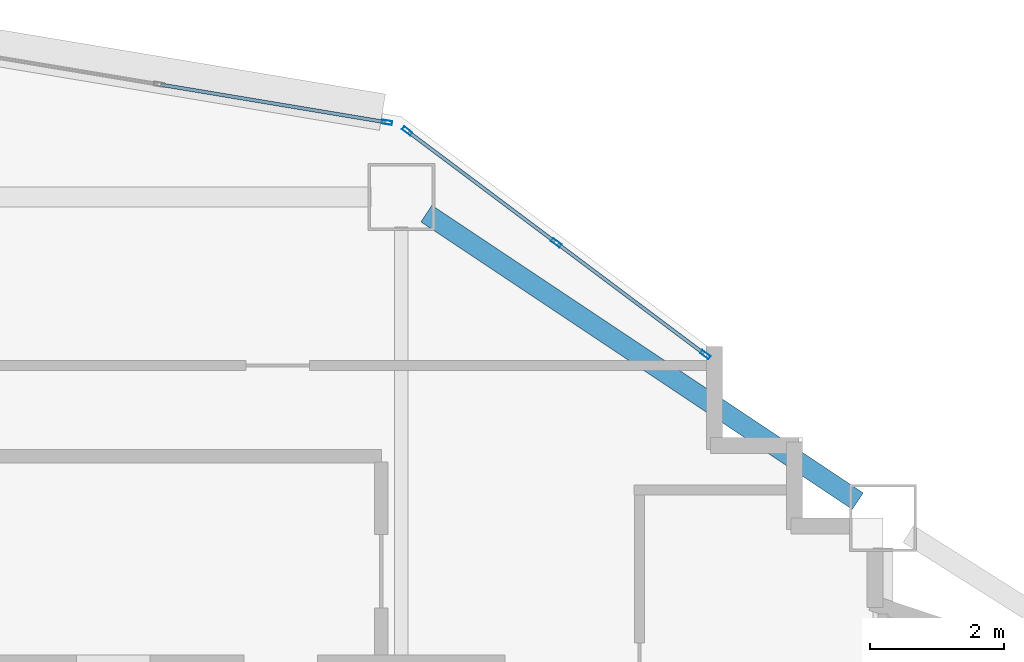
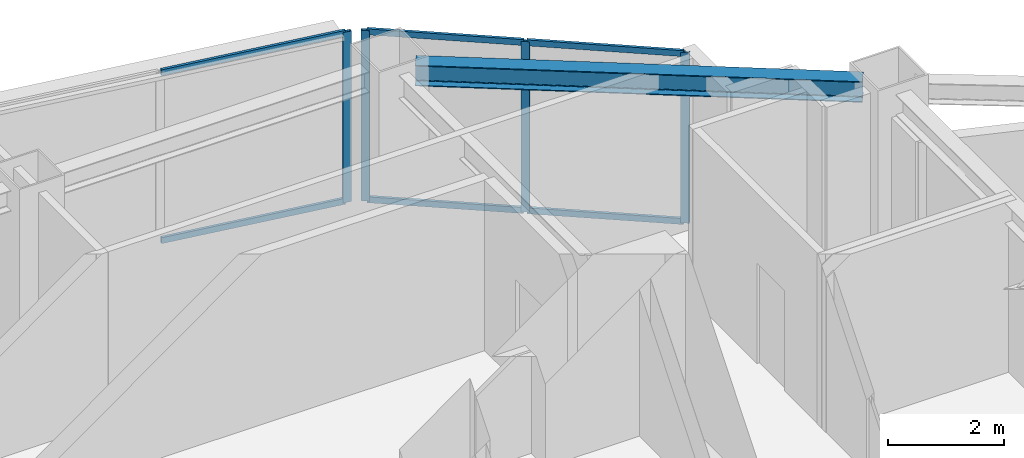
# One storey, part 3 of 14: 10 members, 1 beam, 2 elements without a shape of their own.
"""IFC4 building model written with IfcOpenShell, lengths in metres."""

from ifc_helpers import new_model, si_unit, direction, frame, origin, origin_2d, place, context, subcontext, project, spatial, hollow_rectangle, i_section, extrude, material, layer, layer_set, material_profile, profile_set, type_object, element, aggregate, save


model = new_model("IFC4")

# Units and contexts
model_context = context("Model", 3, precision=1e-05, world=origin(), true_north=direction((0.0, 1.0)))
body_context = subcontext(model_context, "Body", "Model", "MODEL_VIEW")
ifc_project = project(units=[si_unit("LENGTHUNIT", "METRE"), si_unit("AREAUNIT", "SQUARE_METRE"), si_unit("VOLUMEUNIT", "CUBIC_METRE"), si_unit("PLANEANGLEUNIT", "RADIAN"), si_unit("MASSUNIT", "GRAM", prefix="KILO")], contexts=[model_context])

# Site, building, storey
site_placement = place(None, origin())
site = spatial("IfcSite", under=ifc_project, at=site_placement, CompositionType="ELEMENT")
building_placement = place(site_placement, origin())
building = spatial("IfcBuilding", under=site, at=building_placement, Name="Haolan Belvedere Tower", CompositionType="ELEMENT")
storey_placement = place(building_placement, frame((0.0, 0.0, 109.800048828125)))
storey = spatial("IfcBuildingStorey", under=building, at=storey_placement, Name="L27", CompositionType="ELEMENT", Elevation=109.800048828125)

# Beam
ifc_material_1 = material(Name="Steel Q355B", Category="steel")
ifc_material_profile_1 = material_profile(ifc_material_1, i_section(OverallWidth=0.300048828125, OverallDepth=0.43994140625, WebThickness=0.010986328125, FlangeThickness=0.01806640625, FilletRadius=0.02392578125, at=origin_2d()), Name="Steel Q355B")
ifc_profile_set_1 = profile_set([ifc_material_profile_1], Name="Steel Q355B")
beam_type = type_object("IfcBeamType", Name="BM-HM440x300x11x18", PredefinedType="SPANDREL", material=ifc_profile_set_1)
beam_placement = place(storey_placement, frame((45.974365234375, 50.150390625, 3.3798828125), z_axis=(0.832050294338, -0.554700196225, 0.0), x_axis=(0.554700196225, 0.832050294338, 0.0)))
element("IfcBeam", 1, at=beam_placement, inside=storey, type_object=beam_type, Name="L27 spandrel girder MC-T3-N2-MC-T3-NE", PredefinedType="SPANDREL", context=body_context, shape_type="SweptSolid", body=[
    extrude(i_section(OverallWidth=0.300048828125, OverallDepth=0.43994140625, WebThickness=0.010986328125, FlangeThickness=0.01806640625, FilletRadius=0.02392578125, at=origin_2d()), origin(), (0.0, 0.0, 1.0), 7.75341796875),
])

# Curtain wall, members
ifc_material_2 = material(Name="Anodised champagne-silver aluminium 6063-T6 and Low-E glass", Category="aluminium")
ifc_layer = layer(ifc_material_2, 0.155029296875, Name="Anodised champagne-silver aluminium 6063-T6 and Low-E glass")
ifc_layer_set = layer_set([ifc_layer], Name="Anodised champagne-silver aluminium 6063-T6 and Low-E glass")
curtain_wall_type = type_object("IfcCurtainWallType", Name="CW-SYS-03", PredefinedType="NOTDEFINED", material=ifc_layer_set)
curtain_wall_1_placement = place(storey_placement, origin())
curtain_wall_1 = element("IfcCurtainWall", 2, at=curtain_wall_1_placement, inside=storey, type_object=curtain_wall_type, Name="L27 CW-SYS-03 ribbon curtain wall 26.1", PredefinedType="NOTDEFINED")
ifc_material_3 = material(Name="Anodised aluminium 6063-T6", Category="aluminium")
ifc_material_profile_2 = material_profile(ifc_material_3, hollow_rectangle(XDim=0.05810546875, YDim=0.155029296875, WallThickness=0.00390625, at=origin_2d()), Name="Anodised aluminium 6063-T6")
ifc_profile_set_2 = profile_set([ifc_material_profile_2], Name="Anodised aluminium 6063-T6")
member_type_1 = type_object("IfcMemberType", Name="CW-SYS-03-MUL", PredefinedType="MULLION", material=ifc_profile_set_2)
member_1_placement = place(storey_placement, frame((50.144775390625, 48.04150390625, 0.0), z_axis=(0.0, 0.0, 1.0), x_axis=(-0.599994316874, -0.800004262313, 0.0)))
member_1 = element("IfcMember", 3, at=member_1_placement, type_object=member_type_1, Name="CW-03 mullion 1", PredefinedType="MULLION", context=body_context, shape_type="SweptSolid", body=[
    extrude(hollow_rectangle(XDim=0.05810546875, YDim=0.155029296875, WallThickness=0.00390625, at=origin_2d()), origin(), (0.0, 0.0, 1.0), 3.599853515625),
])
member_2_placement = place(storey_placement, frame((47.915771484375, 49.713134765625, 0.0), z_axis=(0.0, 0.0, 1.0), x_axis=(-0.599994316874, -0.800004262313, 0.0)))
member_2 = element("IfcMember", 4, at=member_2_placement, type_object=member_type_1, Name="CW-03 mullion 2", PredefinedType="MULLION", context=body_context, shape_type="SweptSolid", body=[
    extrude(hollow_rectangle(XDim=0.05810546875, YDim=0.155029296875, WallThickness=0.00390625, at=origin_2d()), origin(), (0.0, 0.0, 1.0), 3.599853515625),
])
member_3_placement = place(storey_placement, frame((45.6865234375, 51.385009765625, 0.0), z_axis=(0.0, 0.0, 1.0), x_axis=(-0.599994316874, -0.800004262313, 0.0)))
member_3 = element("IfcMember", 5, at=member_3_placement, type_object=member_type_1, Name="CW-03 mullion 3", PredefinedType="MULLION", context=body_context, shape_type="SweptSolid", body=[
    extrude(hollow_rectangle(XDim=0.05810546875, YDim=0.155029296875, WallThickness=0.00390625, at=origin_2d()), origin(), (0.0, 0.0, 1.0), 3.599853515625),
])

# Curtain wall, member
curtain_wall_2_placement = place(storey_placement, origin())
curtain_wall_2 = element("IfcCurtainWall", 6, at=curtain_wall_2_placement, inside=storey, type_object=curtain_wall_type, Name="L27 CW-SYS-03 ribbon curtain wall 27.1", PredefinedType="NOTDEFINED")
member_4_placement = place(storey_placement, frame((45.384765625, 51.51416015625, 0.0), z_axis=(0.0, 0.0, 1.0), x_axis=(-0.16440364043, -0.9863931483, 0.0)))
member_4 = element("IfcMember", 7, at=member_4_placement, type_object=member_type_1, Name="CW-03 mullion 1", PredefinedType="MULLION", context=body_context, shape_type="SweptSolid", body=[
    extrude(hollow_rectangle(XDim=0.05810546875, YDim=0.155029296875, WallThickness=0.00390625, at=origin_2d()), origin(), (0.0, 0.0, 1.0), 3.599853515625),
])

# Member
ifc_material_profile_3 = material_profile(ifc_material_3, hollow_rectangle(XDim=0.053955078125, YDim=0.125, WallThickness=0.00390625, at=origin_2d()), Name="Anodised aluminium 6063-T6")
ifc_profile_set_3 = profile_set([ifc_material_profile_3], Name="Anodised aluminium 6063-T6")
member_type_2 = type_object("IfcMemberType", Name="CW-SYS-03-TRN", PredefinedType="USERDEFINED", material=ifc_profile_set_3)
member_5_placement = place(storey_placement, frame((50.12158203125, 48.058837890625, 0.02685546875), z_axis=(-0.8, 0.6, 0.0), x_axis=(-0.6, -0.8, 0.0)))
member_5 = element("IfcMember", 8, at=member_5_placement, type_object=member_type_2, Name="CW-03 transom 1.1", ObjectType="TRANSOM", PredefinedType="USERDEFINED", context=body_context, shape_type="SweptSolid", body=[
    extrude(hollow_rectangle(XDim=0.053955078125, YDim=0.125, WallThickness=0.00390625, at=origin_2d()), origin(), (0.0, 0.0, 1.0), 2.728271484375),
])

member_6_placement = place(storey_placement, frame((50.12158203125, 48.058837890625, 3.572998046875), z_axis=(-0.8, 0.6, 0.0), x_axis=(-0.6, -0.8, 0.0)))
member_6 = element("IfcMember", 9, at=member_6_placement, type_object=member_type_2, Name="CW-03 transom 1.2", ObjectType="TRANSOM", PredefinedType="USERDEFINED", context=body_context, shape_type="SweptSolid", body=[
    extrude(hollow_rectangle(XDim=0.053955078125, YDim=0.125, WallThickness=0.00390625, at=origin_2d()), origin(), (0.0, 0.0, 1.0), 2.728271484375),
])

member_7_placement = place(storey_placement, frame((47.892578125, 49.730712890625, 0.02685546875), z_axis=(-0.800032211306, 0.59995704919, 0.0), x_axis=(-0.59995704919, -0.800032211306, 0.0)))
member_7 = element("IfcMember", 10, at=member_7_placement, type_object=member_type_2, Name="CW-03 transom 2.1", ObjectType="TRANSOM", PredefinedType="USERDEFINED", context=body_context, shape_type="SweptSolid", body=[
    extrude(hollow_rectangle(XDim=0.053955078125, YDim=0.125, WallThickness=0.00390625, at=origin_2d()), origin(), (0.0, 0.0, 1.0), 2.728515625),
])

member_8_placement = place(storey_placement, frame((47.892578125, 49.730712890625, 3.572998046875), z_axis=(-0.800032211306, 0.59995704919, 0.0), x_axis=(-0.59995704919, -0.800032211306, 0.0)))
member_8 = element("IfcMember", 11, at=member_8_placement, type_object=member_type_2, Name="CW-03 transom 2.2", ObjectType="TRANSOM", PredefinedType="USERDEFINED", context=body_context, shape_type="SweptSolid", body=[
    extrude(hollow_rectangle(XDim=0.053955078125, YDim=0.125, WallThickness=0.00390625, at=origin_2d()), origin(), (0.0, 0.0, 1.0), 2.728515625),
])

aggregate(curtain_wall_1, [member_1, member_2, member_3, member_5, member_6, member_7, member_8])

member_9_placement = place(storey_placement, frame((45.356201171875, 51.51904296875, 0.02685546875), z_axis=(-0.986395865591, 0.16438733633, 0.0), x_axis=(-0.16438733633, -0.986395865591, 0.0)))
member_9 = element("IfcMember", 12, at=member_9_placement, type_object=member_type_2, Name="CW-03 transom 1.1", ObjectType="TRANSOM", PredefinedType="USERDEFINED", context=body_context, shape_type="SweptSolid", body=[
    extrude(hollow_rectangle(XDim=0.053955078125, YDim=0.125, WallThickness=0.00390625, at=origin_2d()), origin(), (0.0, 0.0, 1.0), 3.39794921875),
])

member_10_placement = place(storey_placement, frame((45.356201171875, 51.51904296875, 3.572998046875), z_axis=(-0.986395865591, 0.16438733633, 0.0), x_axis=(-0.16438733633, -0.986395865591, 0.0)))
member_10 = element("IfcMember", 13, at=member_10_placement, type_object=member_type_2, Name="CW-03 transom 1.2", ObjectType="TRANSOM", PredefinedType="USERDEFINED", context=body_context, shape_type="SweptSolid", body=[
    extrude(hollow_rectangle(XDim=0.053955078125, YDim=0.125, WallThickness=0.00390625, at=origin_2d()), origin(), (0.0, 0.0, 1.0), 3.39794921875),
])

aggregate(curtain_wall_2, [member_4, member_9, member_10])

save(model, "model.ifc")
